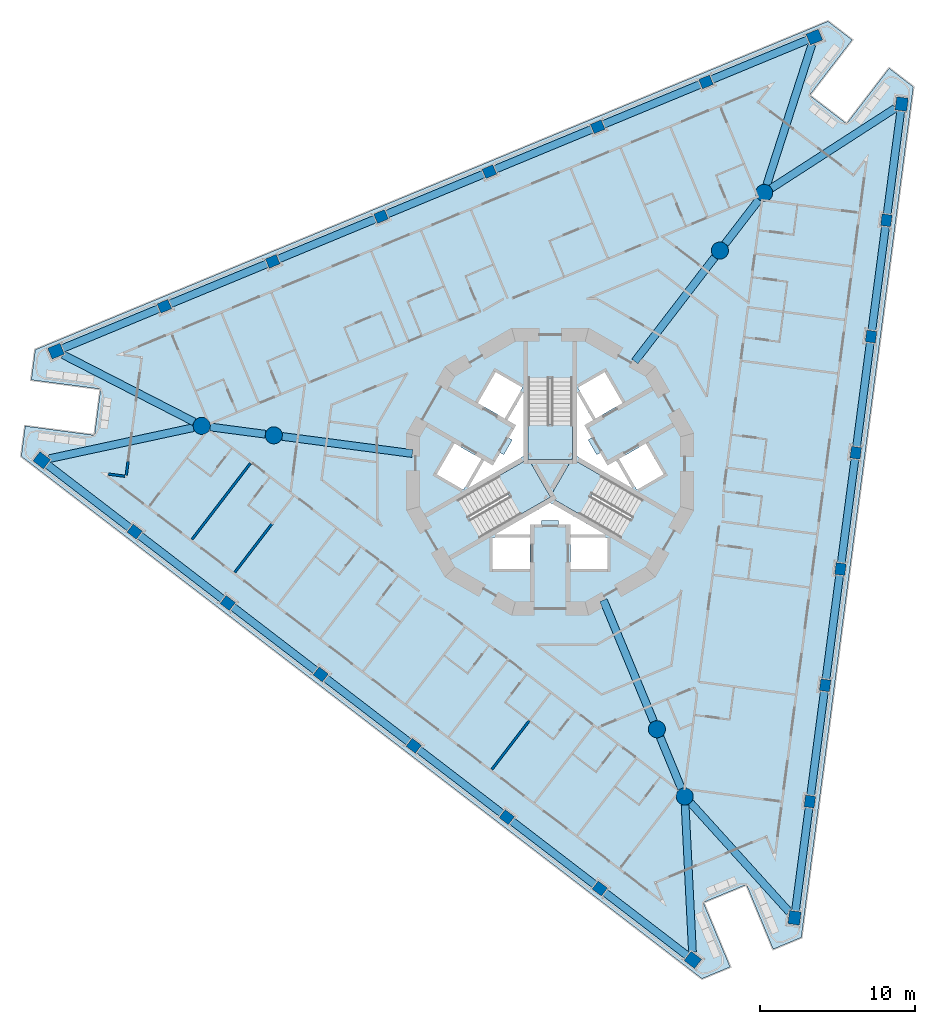
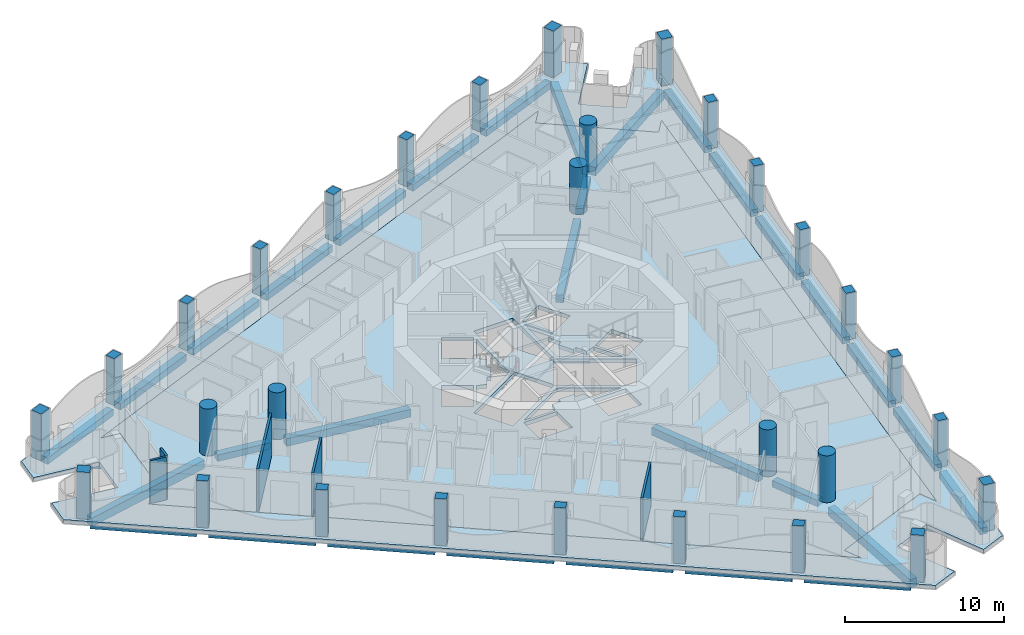
# One storey, part 1 of 17: 33 beams, 30 columns, 6 slabs, 5 walls, 3 elements without a shape of their own.
"""IFC4 building model written with IfcOpenShell, lengths in metres."""

from ifc_helpers import new_model, si_unit, direction, frame, frame_2d, origin, origin_2d, place, context, subcontext, project, spatial, polyline, rectangle, circle, outline, extrude, material, layer, layer_set, material_profile, profile_set, type_object, element, aggregate, save


model = new_model("IFC4")

# Units and contexts
model_context = context("Model", 3, precision=1e-05, world=origin(), true_north=direction((0.0, 1.0)))
body_context = subcontext(model_context, "Body", "Model", "MODEL_VIEW")
ifc_project = project(units=[si_unit("LENGTHUNIT", "METRE"), si_unit("AREAUNIT", "SQUARE_METRE"), si_unit("VOLUMEUNIT", "CUBIC_METRE"), si_unit("PLANEANGLEUNIT", "RADIAN"), si_unit("MASSUNIT", "GRAM", prefix="KILO")], contexts=[model_context])

# Site, building, storey
site_placement = place(None, origin())
site = spatial("IfcSite", under=ifc_project, at=site_placement, CompositionType="ELEMENT")
building_placement = place(site_placement, origin())
building = spatial("IfcBuilding", under=site, at=building_placement, Name="Trine Commons Tower", CompositionType="ELEMENT")
storey_placement = place(building_placement, frame((0.0, 0.0, 149.39990234375)))
storey = spatial("IfcBuildingStorey", under=building, at=storey_placement, Name="L38", CompositionType="ELEMENT", Elevation=149.39990234375)

# Columns
ifc_material_1 = material(Name="Concrete C70/85", Category="concrete")
ifc_material_profile_1 = material_profile(ifc_material_1, rectangle(XDim=0.75, YDim=0.64990234375, at=origin_2d()), Name="RC 750x650")
ifc_profile_set_1 = profile_set([ifc_material_profile_1], Name="Concrete C70/85")
column_type_1 = type_object("IfcColumnType", Name="RC column 750x650, C70/85", PredefinedType="COLUMN", material=ifc_profile_set_1)
for number, where, z_axis, x_axis, name in (
    (1, (83.197021484375, 35.652587890625, 0.0), (0.0, 0.0, 1.0), (-0.793353340291, 0.608761429009, 0.0), "Column PC4-02 L38"),
    (2, (77.20556640625, 40.25, 0.0), (0.0, 0.0, 1.0), (-0.793353340291, 0.608761429009, 0.0), "Column PC4-03 L38"),
    (3, (71.214111328125, 44.847412109375, 0.0), (0.0, 0.0, 1.0), (-0.793353340291, 0.608761429009, 0.0), "Column PC4-04 L38"),
    (4, (65.222900390625, 49.444580078125, 0.0), (0.0, 0.0, 1.0), (-0.793353340291, 0.608761429009, 0.0), "Column PC4-05 L38"),
    (5, (59.2314453125, 54.0419921875, 0.0), (0.0, 0.0, 1.0), (-0.793353340291, 0.608761429009, 0.0), "Column PC4-06 L38"),
    (6, (53.239990234375, 58.639404296875, 0.0), (0.0, 0.0, 1.0), (-0.793353340291, 0.608761429009, 0.0), "Column PC4-07 L38"),
    (7, (55.151123046875, 73.155029296875, 0.0), (0.0, 0.0, 1.0), (0.923879532511, 0.382683432365, 0.0), "Column PC4-10 L38"),
    (8, (62.128173828125, 76.044921875, 0.0), (0.0, 0.0, 1.0), (0.923879532511, 0.382683432365, 0.0), "Column PC4-11 L38"),
    (9, (69.105224609375, 78.93505859375, 0.0), (0.0, 0.0, 1.0), (0.923879532511, 0.382683432365, 0.0), "Column PC4-12 L38"),
    (10, (76.08251953125, 81.8251953125, 0.0), (0.0, 0.0, 1.0), (0.923879532511, 0.382683432365, 0.0), "Column PC4-13 L38"),
    (11, (83.0595703125, 84.715087890625, 0.0), (0.0, 0.0, 1.0), (0.923879532511, 0.382683432365, 0.0), "Column PC4-14 L38"),
    (12, (90.03662109375, 87.60498046875, 0.0), (0.0, 0.0, 1.0), (0.923879532511, 0.382683432365, 0.0), "Column PC4-15 L38"),
    (13, (101.652099609375, 78.692138671875, 0.0), (0.0, 0.0, 1.0), (0.13052619222, 0.991444861374, 0.0), "Column PC4-18 L38"),
    (14, (100.666259765625, 71.204833984375, 0.0), (0.0, 0.0, 1.0), (0.13052619222, 0.991444861374, 0.0), "Column PC4-19 L38"),
    (15, (99.680419921875, 63.717529296875, 0.0), (0.0, 0.0, 1.0), (0.13052619222, 0.991444861374, 0.0), "Column PC4-20 L38"),
    (16, (98.69482421875, 56.230224609375, 0.0), (0.0, 0.0, 1.0), (0.13052619222, 0.991444861374, 0.0), "Column PC4-21 L38"),
    (17, (97.708984375, 48.742919921875, 0.0), (0.0, 0.0, 1.0), (0.13052619222, 0.991444861374, 0.0), "Column PC4-22 L38"),
    (18, (96.723388671875, 41.255615234375, 0.0), (0.0, 0.0, 1.0), (0.13052619222, 0.991444861374, 0.0), "Column PC4-23 L38"),
):
    element("IfcColumn", number, at=place(storey_placement, frame(where, z_axis=z_axis, x_axis=x_axis)), inside=storey, type_object=column_type_1, Name=name, PredefinedType="COLUMN", context=body_context, shape_type="SweptSolid", body=[
        extrude(rectangle(XDim=0.75, YDim=0.64990234375, at=origin_2d()), origin(), (0.0, 0.0, 1.0), 3.60009765625),
    ])
ifc_material_profile_2 = material_profile(ifc_material_1, rectangle(XDim=0.85009765625, YDim=0.75, at=origin_2d()), Name="RC 850x750")
ifc_profile_set_2 = profile_set([ifc_material_profile_2], Name="Concrete C70/85")
column_type_2 = type_object("IfcColumnType", Name="RC column 850x750, C70/85", PredefinedType="COLUMN", material=ifc_profile_set_2)
for number, where, z_axis, x_axis, name in (
    (19, (89.188232421875, 31.055419921875, 0.0), (0.0, 0.0, 1.0), (-0.793353340291, 0.608761429009, 0.0), "Column PC4-01 L38"),
    (20, (47.248779296875, 63.23681640625, 0.0), (0.0, 0.0, 1.0), (-0.793353340291, 0.608761429009, 0.0), "Column PC4-08 L38"),
    (21, (48.174072265625, 70.264892578125, 0.0), (0.0, 0.0, 1.0), (0.923879532511, 0.382683432365, 0.0), "Column PC4-09 L38"),
    (22, (97.013671875, 90.4951171875, 0.0), (0.0, 0.0, 1.0), (0.923879532511, 0.382683432365, 0.0), "Column PC4-16 L38"),
    (23, (102.6376953125, 86.1796875, 0.0), (0.0, 0.0, 1.0), (0.13052619222, 0.991444861374, 0.0), "Column PC4-17 L38"),
    (24, (95.737548828125, 33.768310546875, 0.0), (0.0, 0.0, 1.0), (0.13052619222, 0.991444861374, 0.0), "Column PC4-24 L38"),
):
    element("IfcColumn", number, at=place(storey_placement, frame(where, z_axis=z_axis, x_axis=x_axis)), inside=storey, type_object=column_type_2, Name=name, PredefinedType="COLUMN", context=body_context, shape_type="SweptSolid", body=[
        extrude(rectangle(XDim=0.85009765625, YDim=0.75, at=origin_2d()), origin(), (0.0, 0.0, 1.0), 3.60009765625),
    ])
ifc_material_profile_3 = material_profile(ifc_material_1, circle(Radius=0.550048828125, at=origin_2d()), Name="RC round 1100")
ifc_profile_set_3 = profile_set([ifc_material_profile_3], Name="Concrete C70/85")
column_type_3 = type_object("IfcColumnType", Name="RC round column 1100 mm, C70/85", PredefinedType="COLUMN", material=ifc_profile_set_3)
for number, where, z_axis, x_axis, name in (
    (25, (86.87109375, 45.912109375, 0.0), (0.0, 0.0, 1.0), (1.0, 0.0, 0.0), "Column WC4-1 L38"),
    (26, (88.66259765625, 41.58642578125, 0.0), (0.0, 0.0, 1.0), (1.0, 0.0, 0.0), "Column WC4-2 L38"),
    (27, (90.93017578125, 76.744384765625, 0.0), (0.0, 0.0, 1.0), (1.0, 0.0, 0.0), "Column WC4-3 L38"),
    (28, (93.7802734375, 80.458984375, 0.0), (0.0, 0.0, 1.0), (1.0, 0.0, 0.0), "Column WC4-4 L38"),
    (29, (62.198974609375, 64.843505859375, 0.0), (0.0, 0.0, 1.0), (1.0, 0.0, 0.0), "Column WC4-5 L38"),
    (30, (57.556884765625, 65.45458984375, 0.0), (0.0, 0.0, 1.0), (1.0, 0.0, 0.0), "Column WC4-6 L38"),
):
    element("IfcColumn", number, at=place(storey_placement, frame(where, z_axis=z_axis, x_axis=x_axis)), inside=storey, type_object=column_type_3, Name=name, PredefinedType="COLUMN", context=body_context, shape_type="SweptSolid", body=[
        extrude(circle(Radius=0.550048828125, at=origin_2d()), origin(), (0.0, 0.0, 1.0), 3.60009765625),
    ])

# Beams
ifc_material_2 = material(Name="Concrete C50/60", Category="concrete")
ifc_material_profile_4 = material_profile(ifc_material_2, rectangle(XDim=0.5, YDim=0.5, at=origin_2d()), Name="RC 500x500")
ifc_profile_set_4 = profile_set([ifc_material_profile_4], Name="Concrete C50/60")
beam_type_1 = type_object("IfcBeamType", Name="RC beam 500x500, C50/60", PredefinedType="BEAM", material=ifc_profile_set_4)
beam_1_placement = place(storey_placement, frame((88.85107421875, 31.314208984375, -0.5498046875), z_axis=(-0.793369431695, 0.608740457709, 0.0), x_axis=(-0.608740457709, -0.793369431695, 0.0)))
element("IfcBeam", 31, at=beam_1_placement, inside=storey, type_object=beam_type_1, Name="Beam EB4-01 L38", PredefinedType="BEAM", context=body_context, shape_type="SweptSolid", body=[
    extrude(rectangle(XDim=0.5, YDim=0.5, at=origin_2d()), origin(), (0.0, 0.0, 1.0), 6.751708984375),
])
beam_2_placement = place(storey_placement, frame((82.8994140625, 35.881103515625, -0.5498046875), z_axis=(-0.793370600973, 0.60873893379, 0.0), x_axis=(-0.60873893379, -0.793370600973, 0.0)))
element("IfcBeam", 32, at=beam_2_placement, inside=storey, type_object=beam_type_1, Name="Beam EB4-02 L38", PredefinedType="BEAM", context=body_context, shape_type="SweptSolid", body=[
    extrude(rectangle(XDim=0.5, YDim=0.5, at=origin_2d()), origin(), (0.0, 0.0, 1.0), 6.802001953125),
])
beam_3_placement = place(storey_placement, frame((76.907958984375, 40.478515625, -0.5498046875), z_axis=(-0.793357299922, 0.608756268682, 0.0), x_axis=(-0.608756268682, -0.793357299922, 0.0)))
element("IfcBeam", 33, at=beam_3_placement, inside=storey, type_object=beam_type_1, Name="Beam EB4-03 L38", PredefinedType="BEAM", context=body_context, shape_type="SweptSolid", body=[
    extrude(rectangle(XDim=0.5, YDim=0.5, at=origin_2d()), origin(), (0.0, 0.0, 1.0), 6.8017578125),
])
beam_4_placement = place(storey_placement, frame((70.916748046875, 45.07568359375, -0.5498046875), z_axis=(-0.793370600973, 0.60873893379, 0.0), x_axis=(-0.60873893379, -0.793370600973, 0.0)))
element("IfcBeam", 34, at=beam_4_placement, inside=storey, type_object=beam_type_1, Name="Beam EB4-04 L38", PredefinedType="BEAM", context=body_context, shape_type="SweptSolid", body=[
    extrude(rectangle(XDim=0.5, YDim=0.5, at=origin_2d()), origin(), (0.0, 0.0, 1.0), 6.802001953125),
])
beam_5_placement = place(storey_placement, frame((64.92529296875, 49.673095703125, -0.5498046875), z_axis=(-0.793357299922, 0.608756268682, 0.0), x_axis=(-0.608756268682, -0.793357299922, 0.0)))
element("IfcBeam", 35, at=beam_5_placement, inside=storey, type_object=beam_type_1, Name="Beam EB4-05 L38", PredefinedType="BEAM", context=body_context, shape_type="SweptSolid", body=[
    extrude(rectangle(XDim=0.5, YDim=0.5, at=origin_2d()), origin(), (0.0, 0.0, 1.0), 6.8017578125),
])
beam_6_placement = place(storey_placement, frame((58.93408203125, 54.2705078125, -0.5498046875), z_axis=(-0.793370600973, 0.60873893379, 0.0), x_axis=(-0.60873893379, -0.793370600973, 0.0)))
element("IfcBeam", 36, at=beam_6_placement, inside=storey, type_object=beam_type_1, Name="Beam EB4-06 L38", PredefinedType="BEAM", context=body_context, shape_type="SweptSolid", body=[
    extrude(rectangle(XDim=0.5, YDim=0.5, at=origin_2d()), origin(), (0.0, 0.0, 1.0), 6.802001953125),
])
for number, where, z_axis, x_axis, name in (
    (37, (52.942626953125, 58.86767578125, -0.5498046875), (-0.793351968439, 0.608763216838, 0.0), (-0.608763216838, -0.793351968439, 0.0), "Beam EB4-07 L38"),
    (38, (48.566650390625, 70.427490234375, -0.5498046875), (0.923874044744, 0.382696680739, 0.0), (-0.382696680739, 0.923874044744, 0.0), "Beam EB4-08 L38"),
):
    element("IfcBeam", number, at=place(storey_placement, frame(where, z_axis=z_axis, x_axis=x_axis)), inside=storey, type_object=beam_type_1, Name=name, PredefinedType="BEAM", context=body_context, shape_type="SweptSolid", body=[
        extrude(rectangle(XDim=0.5, YDim=0.5, at=origin_2d()), origin(), (0.0, 0.0, 1.0), 6.751953125),
    ])
for number, where, z_axis, x_axis, name in (
    (39, (55.49755859375, 73.298583984375, -0.5498046875), (0.923877719045, 0.38268781043, 0.0), (-0.38268781043, 0.923877719045, 0.0), "Beam EB4-09 L38"),
    (40, (62.474609375, 76.1884765625, -0.5498046875), (0.923877719045, 0.38268781043, 0.0), (-0.38268781043, 0.923877719045, 0.0), "Beam EB4-10 L38"),
):
    element("IfcBeam", number, at=place(storey_placement, frame(where, z_axis=z_axis, x_axis=x_axis)), inside=storey, type_object=beam_type_1, Name=name, PredefinedType="BEAM", context=body_context, shape_type="SweptSolid", body=[
        extrude(rectangle(XDim=0.5, YDim=0.5, at=origin_2d()), origin(), (0.0, 0.0, 1.0), 6.802001953125),
    ])
for number, where, z_axis, x_axis, name in (
    (41, (69.451904296875, 79.07861328125, -0.5498046875), (0.923872462302, 0.382700500915, 0.0), (-0.382700500915, 0.923872462302, 0.0), "Beam EB4-11 L38"),
    (42, (76.428955078125, 81.968505859375, -0.5498046875), (0.923872462302, 0.382700500915, 0.0), (-0.382700500915, 0.923872462302, 0.0), "Beam EB4-12 L38"),
):
    element("IfcBeam", number, at=place(storey_placement, frame(where, z_axis=z_axis, x_axis=x_axis)), inside=storey, type_object=beam_type_1, Name=name, PredefinedType="BEAM", context=body_context, shape_type="SweptSolid", body=[
        extrude(rectangle(XDim=0.5, YDim=0.5, at=origin_2d()), origin(), (0.0, 0.0, 1.0), 6.8017578125),
    ])
beam_7_placement = place(storey_placement, frame((83.406005859375, 84.858642578125, -0.5498046875), z_axis=(0.923877719045, 0.38268781043, 0.0), x_axis=(-0.38268781043, 0.923877719045, 0.0)))
element("IfcBeam", 43, at=beam_7_placement, inside=storey, type_object=beam_type_1, Name="Beam EB4-13 L38", PredefinedType="BEAM", context=body_context, shape_type="SweptSolid", body=[
    extrude(rectangle(XDim=0.5, YDim=0.5, at=origin_2d()), origin(), (0.0, 0.0, 1.0), 6.802001953125),
])
beam_8_placement = place(storey_placement, frame((90.383056640625, 87.74853515625, -0.5498046875), z_axis=(0.923874044744, 0.382696680739, 0.0), x_axis=(-0.382696680739, 0.923874044744, 0.0)))
element("IfcBeam", 44, at=beam_8_placement, inside=storey, type_object=beam_type_1, Name="Beam EB4-14 L38", PredefinedType="BEAM", context=body_context, shape_type="SweptSolid", body=[
    extrude(rectangle(XDim=0.5, YDim=0.5, at=origin_2d()), origin(), (0.0, 0.0, 1.0), 6.751953125),
])
beam_9_placement = place(storey_placement, frame((102.582275390625, 85.75830078125, -0.5498046875), z_axis=(-0.130529338233, -0.991444447188, 0.0), x_axis=(0.991444447188, -0.130529338233, 0.0)))
element("IfcBeam", 45, at=beam_9_placement, inside=storey, type_object=beam_type_1, Name="Beam EB4-15 L38", PredefinedType="BEAM", context=body_context, shape_type="SweptSolid", body=[
    extrude(rectangle(XDim=0.5, YDim=0.5, at=origin_2d()), origin(), (0.0, 0.0, 1.0), 6.752197265625),
])
for number, where, z_axis, x_axis, name in (
    (46, (101.60302734375, 78.3203125, -0.5498046875), (-0.13054364647, -0.991442563322, 0.0), (0.991442563322, -0.13054364647, 0.0), "Beam EB4-16 L38"),
    (47, (100.6171875, 70.8330078125, -0.5498046875), (-0.13050836468, -0.991447208251, 0.0), (0.991447208251, -0.13050836468, 0.0), "Beam EB4-17 L38"),
    (48, (99.631591796875, 63.345703125, -0.5498046875), (-0.13054364647, -0.991442563322, 0.0), (0.991442563322, -0.13054364647, 0.0), "Beam EB4-18 L38"),
    (49, (98.64599609375, 55.8583984375, -0.5498046875), (-0.13054364647, -0.991442563322, 0.0), (0.991442563322, -0.13054364647, 0.0), "Beam EB4-19 L38"),
    (50, (97.66015625, 48.37109375, -0.5498046875), (-0.13054364647, -0.991442563322, 0.0), (0.991442563322, -0.13054364647, 0.0), "Beam EB4-20 L38"),
):
    element("IfcBeam", number, at=place(storey_placement, frame(where, z_axis=z_axis, x_axis=x_axis)), inside=storey, type_object=beam_type_1, Name=name, PredefinedType="BEAM", context=body_context, shape_type="SweptSolid", body=[
        extrude(rectangle(XDim=0.5, YDim=0.5, at=origin_2d()), origin(), (0.0, 0.0, 1.0), 6.8017578125),
    ])
beam_10_placement = place(storey_placement, frame((96.67431640625, 40.8837890625, -0.5498046875), z_axis=(-0.130498474521, -0.991448510084, 0.0), x_axis=(0.991448510084, -0.130498474521, 0.0)))
element("IfcBeam", 51, at=beam_10_placement, inside=storey, type_object=beam_type_1, Name="Beam EB4-21 L38", PredefinedType="BEAM", context=body_context, shape_type="SweptSolid", body=[
    extrude(rectangle(XDim=0.5, YDim=0.5, at=origin_2d()), origin(), (0.0, 0.0, 1.0), 6.751708984375),
])
beam_11_placement = place(storey_placement, frame((87.08154296875, 45.40380859375, -0.5498046875), z_axis=(0.382644753509, -0.92389555287, 0.0), x_axis=(0.92389555287, 0.382644753509, 0.0)))
element("IfcBeam", 52, at=beam_11_placement, inside=storey, type_object=beam_type_1, Name="Beam RB4-02 L38", PredefinedType="BEAM", context=body_context, shape_type="SweptSolid", body=[
    extrude(rectangle(XDim=0.5, YDim=0.5, at=origin_2d()), origin(), (0.0, 0.0, 1.0), 3.58203125),
])
beam_12_placement = place(storey_placement, frame((91.2646484375, 77.180419921875, -0.5498046875), z_axis=(0.608761938472, 0.793352949366, 0.0), x_axis=(-0.793352949366, 0.608761938472, 0.0)))
element("IfcBeam", 53, at=beam_12_placement, inside=storey, type_object=beam_type_1, Name="Beam RB4-04 L38", PredefinedType="BEAM", context=body_context, shape_type="SweptSolid", body=[
    extrude(rectangle(XDim=0.5, YDim=0.5, at=origin_2d()), origin(), (0.0, 0.0, 1.0), 3.5830078125),
])
beam_13_placement = place(storey_placement, frame((61.654296875, 64.915283203125, -0.5498046875), z_axis=(-0.991441999821, 0.13054792603, 0.0), x_axis=(-0.13054792603, -0.991441999821, 0.0)))
element("IfcBeam", 54, at=beam_13_placement, inside=storey, type_object=beam_type_1, Name="Beam RB4-06 L38", PredefinedType="BEAM", context=body_context, shape_type="SweptSolid", body=[
    extrude(rectangle(XDim=0.5, YDim=0.5, at=origin_2d()), origin(), (0.0, 0.0, 1.0), 3.583251953125),
])
ifc_material_profile_5 = material_profile(ifc_material_2, rectangle(XDim=0.5, YDim=0.60009765625, at=origin_2d()), Name="RC 500x600")
ifc_profile_set_5 = profile_set([ifc_material_profile_5], Name="Concrete C50/60")
beam_type_2 = type_object("IfcBeamType", Name="RC beam 500x600, C50/60", PredefinedType="BEAM", material=ifc_profile_set_5)
beam_14_placement = place(storey_placement, frame((83.426025390625, 54.228515625, -0.599853515625), z_axis=(0.382688551836, -0.92387741194, 0.0), x_axis=(0.92387741194, 0.382688551836, 0.0)))
element("IfcBeam", 55, at=beam_14_placement, inside=storey, type_object=beam_type_2, Name="Beam RB4-01 L38", PredefinedType="BEAM", context=body_context, shape_type="SweptSolid", body=[
    extrude(rectangle(XDim=0.5, YDim=0.60009765625, at=origin_2d()), origin(), (0.0, 0.0, 1.0), 8.45166015625),
])
for number, where, z_axis, x_axis, name in (
    (56, (85.4501953125, 69.602783203125, -0.599853515625), (0.608758331545, 0.793355717049, 0.0), (-0.793355717049, 0.608758331545, 0.0), "Beam RB4-03 L38"),
    (57, (71.123779296875, 63.668701171875, -0.599853515625), (-0.991444756637, 0.130526987771, 0.0), (-0.130526987771, -0.991444756637, 0.0), "Beam RB4-05 L38"),
):
    element("IfcBeam", number, at=place(storey_placement, frame(where, z_axis=z_axis, x_axis=x_axis)), inside=storey, type_object=beam_type_2, Name=name, PredefinedType="BEAM", context=body_context, shape_type="SweptSolid", body=[
        extrude(rectangle(XDim=0.5, YDim=0.60009765625, at=origin_2d()), origin(), (0.0, 0.0, 1.0), 8.452392578125),
    ])
ifc_material_profile_6 = material_profile(ifc_material_2, rectangle(XDim=0.5, YDim=0.64990234375, at=origin_2d()), Name="RC 500x650")
ifc_profile_set_6 = profile_set([ifc_material_profile_6], Name="Concrete C50/60")
beam_type_3 = type_object("IfcBeamType", Name="RC beam 500x650, C50/60", PredefinedType="BEAM", material=ifc_profile_set_6)
for number, where, z_axis, x_axis, name in (
    (58, (47.729736328125, 63.340087890625, -0.625), (0.977623092321, 0.210364182695, 0.0), (-0.210364182695, 0.977623092321, 0.0), "Beam CB4-01 L38"),
    (59, (48.61181640625, 70.04052734375, -0.625), (0.88987015168, -0.456213889692, 0.0), (0.456213889692, 0.88987015168, 0.0), "Beam CB4-02 L38"),
):
    element("IfcBeam", number, at=place(storey_placement, frame(where, z_axis=z_axis, x_axis=x_axis)), inside=storey, type_object=beam_type_3, Name=name, PredefinedType="BEAM", context=body_context, shape_type="SweptSolid", body=[
        extrude(rectangle(XDim=0.5, YDim=0.64990234375, at=origin_2d()), origin(), (0.0, 0.0, 1.0), 9.502685546875),
    ])
for number, where, z_axis, x_axis, name in (
    (60, (96.86279296875, 90.026611328125, -0.625), (-0.306661957359, -0.951818493153, 0.0), (0.951818493153, -0.306661957359, 0.0), "Beam CB4-03 L38"),
    (61, (102.224365234375, 85.91259765625, -0.625), (-0.840029620135, -0.542540539772, 0.0), (0.542540539772, -0.840029620135, 0.0), "Beam CB4-04 L38"),
):
    element("IfcBeam", number, at=place(storey_placement, frame(where, z_axis=z_axis, x_axis=x_axis)), inside=storey, type_object=beam_type_3, Name=name, PredefinedType="BEAM", context=body_context, shape_type="SweptSolid", body=[
        extrude(rectangle(XDim=0.5, YDim=0.64990234375, at=origin_2d()), origin(), (0.0, 0.0, 1.0), 9.50244140625),
    ])
beam_15_placement = place(storey_placement, frame((95.407470703125, 34.133056640625, -0.625), z_axis=(-0.670979247329, 0.74147612885, 0.0), x_axis=(-0.74147612885, -0.670979247329, 0.0)))
element("IfcBeam", 62, at=beam_15_placement, inside=storey, type_object=beam_type_3, Name="Beam CB4-05 L38", PredefinedType="BEAM", context=body_context, shape_type="SweptSolid", body=[
    extrude(rectangle(XDim=0.5, YDim=0.64990234375, at=origin_2d()), origin(), (0.0, 0.0, 1.0), 9.5029296875),
])
beam_16_placement = place(storey_placement, frame((89.163818359375, 31.546875, -0.625), z_axis=(-0.049841513837, 0.998757139398, 0.0), x_axis=(-0.998757139398, -0.049841513837, 0.0)))
element("IfcBeam", 63, at=beam_16_placement, inside=storey, type_object=beam_type_3, Name="Beam CB4-06 L38", PredefinedType="BEAM", context=body_context, shape_type="SweptSolid", body=[
    extrude(rectangle(XDim=0.5, YDim=0.64990234375, at=origin_2d()), origin(), (0.0, 0.0, 1.0), 9.502685546875),
])

# Slabs
ifc_layer_1 = layer(ifc_material_2, 0.300048828125)
ifc_layer_set_1 = layer_set([ifc_layer_1], Name="Concrete C50/60")
slab_type_1 = type_object("IfcSlabType", Name="Loggia slab 300 mm, C50/60", PredefinedType="FLOOR", material=ifc_layer_set_1)
slab_1_placement = place(storey_placement, frame((0.0, 0.0, -0.2998046875)))
element("IfcSlab", 64, at=slab_1_placement, inside=storey, type_object=slab_type_1, Name="Loggia slab L38", PredefinedType="FLOOR", context=body_context, shape_type="SweptSolid", body=[
    extrude(outline(polyline([(96.17578125, 32.500244140625), (103.38916015625, 87.291015625), (101.8310546875, 88.48681640625), (99.091552734375, 84.91650390625), (96.71142578125, 86.742919921875), (99.450927734375, 90.31298828125), (97.892578125, 91.508544921875), (46.835693359375, 70.360107421875), (46.579345703125, 68.412841796875), (51.041015625, 67.825439453125), (50.6494140625, 64.85107421875), (46.187744140625, 65.4384765625), (45.931396484375, 63.4912109375), (89.77490234375, 29.848876953125), (91.589599609375, 30.6005859375), (89.867431640625, 34.758056640625), (92.63916015625, 35.906005859375), (94.361328125, 31.74853515625), (96.17578125, 32.500244140625)]), holes=[polyline([(87.24658203125, 34.814208984375), (86.731689453125, 36.056884765625), (93.93798828125, 39.041748046875), (94.452880859375, 37.799072265625), (100.353271484375, 82.618408203125), (99.53466796875, 81.551513671875), (93.346435546875, 86.2998046875), (94.165283203125, 87.366943359375), (52.400146484375, 70.067138671875), (53.733642578125, 69.8916015625), (52.715576171875, 62.158447265625), (51.382080078125, 62.333984375), (87.24658203125, 34.814208984375)])]), origin(), (0.0, 0.0, 1.0), 0.2998046875),
])
ifc_layer_2 = layer(ifc_material_2, 0.300048828125)
ifc_layer_set_2 = layer_set([ifc_layer_2], Name="Concrete C50/60")
slab_type_2 = type_object("IfcSlabType", Name="PT flat slab 300 mm, C50/60", PredefinedType="FLOOR", material=ifc_layer_set_2)
slab_2_placement = place(storey_placement, frame((0.0, 0.0, -0.2998046875)))
element("IfcSlab", 65, at=slab_2_placement, inside=storey, type_object=slab_type_2, Name="Floor slab L38", PredefinedType="FLOOR", context=body_context, shape_type="SweptSolid", body=[
    extrude(outline(polyline([(51.382080078125, 62.333984375), (87.24658203125, 34.814208984375), (86.731689453125, 36.056884765625), (93.93798828125, 39.041748046875), (94.452880859375, 37.799072265625), (100.353271484375, 82.618408203125), (99.53466796875, 81.551513671875), (93.346435546875, 86.2998046875), (94.165283203125, 87.366943359375), (52.400146484375, 70.067138671875), (53.733642578125, 69.8916015625), (52.715576171875, 62.158447265625), (51.382080078125, 62.333984375)]), holes=[polyline([(78.699951171875, 56.25), (78.699951171875, 58.25), (76.300048828125, 58.25), (76.300048828125, 56.25), (78.699951171875, 56.25)]), polyline([(80.0, 60.8544921875), (84.4755859375, 58.2705078125), (85.900390625, 60.73876953125), (81.425048828125, 63.32275390625), (81.425048828125, 68.490478515625), (78.574951171875, 68.490478515625), (78.574951171875, 63.32275390625), (74.099609375, 60.73876953125), (75.5244140625, 58.2705078125), (80.0, 60.8544921875)]), polyline([(73.83740234375, 64.325927734375), (72.687255859375, 62.333984375), (74.41943359375, 61.333984375), (75.5693359375, 63.325927734375), (73.83740234375, 64.325927734375)]), polyline([(76.381103515625, 63.031005859375), (75.742919921875, 63.22607421875), (74.7099609375, 61.43798828125), (78.27490234375, 63.49609375), (78.27490234375, 67.612060546875), (77.242919921875, 65.823974609375), (77.73095703125, 65.368896484375), (77.3310546875, 64.676025390625), (77.555908203125, 64.5458984375), (77.006103515625, 63.593994140625), (76.781005859375, 63.722900390625), (76.381103515625, 63.031005859375)]), polyline([(76.4873046875, 68.916015625), (75.33740234375, 66.924072265625), (77.0693359375, 65.924072265625), (78.219482421875, 67.916015625), (76.4873046875, 68.916015625)]), polyline([(83.699951171875, 56.25), (83.699951171875, 58.25), (81.300048828125, 58.25), (81.300048828125, 56.25), (83.699951171875, 56.25)]), polyline([(81.14990234375, 59.10009765625), (81.300048828125, 58.449951171875), (83.56494140625, 58.449951171875), (80.0, 60.508056640625), (76.43505859375, 58.449951171875), (78.699951171875, 58.449951171875), (78.85009765625, 59.10009765625), (79.449951171875, 59.10009765625), (79.449951171875, 59.360107421875), (80.550048828125, 59.360107421875), (80.550048828125, 59.10009765625), (81.14990234375, 59.10009765625)]), polyline([(86.16259765625, 64.325927734375), (84.4306640625, 63.325927734375), (85.58056640625, 61.333984375), (87.312744140625, 62.333984375), (86.16259765625, 64.325927734375)]), polyline([(83.243896484375, 63.738037109375), (82.993896484375, 63.593994140625), (82.444091796875, 64.5458984375), (82.72705078125, 64.7099609375), (82.281005859375, 65.549072265625), (82.757080078125, 65.823974609375), (81.72509765625, 67.612060546875), (81.72509765625, 63.49609375), (85.2900390625, 61.43798828125), (84.257080078125, 63.22607421875), (83.618896484375, 63.031005859375), (83.243896484375, 63.738037109375)]), polyline([(84.66259765625, 66.924072265625), (83.5126953125, 68.916015625), (81.780517578125, 67.916015625), (82.9306640625, 65.924072265625), (84.66259765625, 66.924072265625)])]), origin(), (0.0, 0.0, 1.0), 0.2998046875),
])
slab_3_placement = place(storey_placement, frame((0.0, 0.0, -0.2998046875)))
element("IfcSlab", 66, at=slab_3_placement, inside=storey, type_object=slab_type_2, Name="Floor slab L38 2", PredefinedType="FLOOR", context=body_context, shape_type="SweptSolid", body=[
    extrude(outline(polyline([(78.61328125, 63.300537109375), (80.0, 60.89892578125), (81.38671875, 63.300537109375), (78.61328125, 63.300537109375)])), origin(), (0.0, 0.0, 1.0), 0.2998046875),
])

# Stair, slab
stair_type = type_object("IfcStairType", Name="Exit stair, dog-leg, 24 risers of 150 mm", PredefinedType="HALF_TURN_STAIR", material=ifc_material_2)
stair_1_placement = place(storey_placement, origin())
stair_1 = element("IfcStair", 67, at=stair_1_placement, inside=storey, type_object=stair_type, Name="L38 Exit stair ST1B", PredefinedType="HALF_TURN_STAIR")
ifc_layer_3 = layer(ifc_material_2, 0.199951171875)
ifc_layer_set_3 = layer_set([ifc_layer_3], Name="Concrete C50/60")
slab_type_3 = type_object("IfcSlabType", Name="Stair landing slab 200 mm, C50/60", PredefinedType="LANDING", material=ifc_layer_set_3)
slab_4_placement = place(storey_placement, frame((0.0, 0.0, 1.60009765625)))
slab_4 = element("IfcSlab", 68, at=slab_4_placement, type_object=slab_type_3, Name="ST1B landing 1", PredefinedType="LANDING", context=body_context, shape_type="SweptSolid", body=[
    extrude(outline(polyline([(78.574951171875, 65.570556640625), (78.574951171875, 63.300537109375), (81.425048828125, 63.300537109375), (81.425048828125, 65.570556640625), (78.574951171875, 65.570556640625)])), origin(), (0.0, 0.0, 1.0), 0.199951171875),
])
aggregate(stair_1, [slab_4])

stair_2_placement = place(storey_placement, origin())
stair_2 = element("IfcStair", 69, at=stair_2_placement, inside=storey, type_object=stair_type, Name="L38 Exit stair ST2B", PredefinedType="HALF_TURN_STAIR")
slab_5_placement = place(storey_placement, frame((0.0, 0.0, 1.60009765625)))
slab_5 = element("IfcSlab", 70, at=slab_5_placement, type_object=slab_type_3, Name="ST2B landing 1", PredefinedType="LANDING", context=body_context, shape_type="SweptSolid", body=[
    extrude(outline(polyline([(78.05322265625, 59.730712890625), (80.019287109375, 60.86572265625), (78.59423828125, 63.333740234375), (76.628173828125, 62.19873046875), (78.05322265625, 59.730712890625)])), origin(), (0.0, 0.0, 1.0), 0.199951171875),
])
aggregate(stair_2, [slab_5])

stair_3_placement = place(storey_placement, origin())
stair_3 = element("IfcStair", 71, at=stair_3_placement, inside=storey, type_object=stair_type, Name="L38 Exit stair ST3B", PredefinedType="HALF_TURN_STAIR")
slab_6_placement = place(storey_placement, frame((0.0, 0.0, 1.60009765625)))
slab_6 = element("IfcSlab", 72, at=slab_6_placement, type_object=slab_type_3, Name="ST3B landing 1", PredefinedType="LANDING", context=body_context, shape_type="SweptSolid", body=[
    extrude(outline(polyline([(83.371826171875, 62.19873046875), (81.40576171875, 63.333740234375), (79.980712890625, 60.86572265625), (81.94677734375, 59.730712890625), (83.371826171875, 62.19873046875)])), origin(), (0.0, 0.0, 1.0), 0.199951171875),
])
aggregate(stair_3, [slab_6])

# Walls
ifc_material_3 = material(Name="Aluminium-framed insulated wall panel", Category="aluminium")
ifc_layer_4 = layer(ifc_material_3, 0.14990234375)
ifc_layer_set_4 = layer_set([ifc_layer_4], Name="Aluminium-framed insulated wall panel")
wall_type_1 = type_object("IfcWallType", Name="Glazed frame wall 150, EI 60", PredefinedType="SOLIDWALL", material=ifc_layer_set_4)
wall_1_placement = place(storey_placement, frame((51.38671875, 62.36865234375, 0.0), z_axis=(0.0, 0.0, 1.0), x_axis=(0.991446880033, -0.130510858064, 0.0)))
element("IfcWall", 73, at=wall_1_placement, inside=storey, type_object=wall_type_1, Name="Glazed frame wall R1", PredefinedType="SOLIDWALL", context=body_context, shape_type="SweptSolid", body=[
    extrude(outline(polyline([(0.1494140625, 0.074951171875), (0.1494140625, -0.074951171875), (1.235107421875, -0.074951171875), (1.235107421875, 0.074951171875), (0.1494140625, 0.074951171875)])), origin(), (0.0, 0.0, 1.0), 3.300048828125),
])
wall_2_placement = place(storey_placement, frame((52.680908203125, 62.1630859375, 0.0), z_axis=(0.0, 0.0, 1.0), x_axis=(0.130403976344, 0.991460943736, 0.0)))
element("IfcWall", 74, at=wall_2_placement, inside=storey, type_object=wall_type_1, Name="Glazed frame wall P1.1", PredefinedType="SOLIDWALL", context=body_context, shape_type="SweptSolid", body=[
    extrude(outline(polyline([(0.110107421875, -0.074951171875), (1.0, -0.074951171875), (1.0, 0.074951171875), (0.110107421875, 0.074951171875), (0.110107421875, -0.074951171875)])), origin(), (0.0, 0.0, 1.0), 3.300048828125),
])
ifc_material_4 = material(Name="Gypsum plasterboard on steel stud", Category="steel")
ifc_layer_5 = layer(ifc_material_4, 0.14990234375)
ifc_layer_set_5 = layer_set([ifc_layer_5], Name="Gypsum plasterboard on steel stud")
wall_type_2 = type_object("IfcWallType", Name="Unit and corridor wall 150 mm, EI 60", PredefinedType="PARTITIONING", material=ifc_layer_set_5)
wall_3_placement = place(storey_placement, frame((56.92431640625, 58.131591796875, 0.0), z_axis=(0.0, 0.0, 1.0), x_axis=(0.608635904236, 0.793449643062, 0.0)))
element("IfcWall", 75, at=wall_3_placement, inside=storey, type_object=wall_type_2, Name="Partition 004", PredefinedType="PARTITIONING", context=body_context, shape_type="SweptSolid", body=[
    extrude(rectangle(XDim=6.194091796875, YDim=0.14990234375, at=frame_2d((3.09716796875, 0.0))), origin(), (0.0, 0.0, 1.0), 3.300048828125),
])
wall_4_placement = place(storey_placement, frame((59.682373046875, 56.0146484375, 0.0), z_axis=(0.0, 0.0, 1.0), x_axis=(0.608733348698, 0.793374886282, 0.0)))
element("IfcWall", 76, at=wall_4_placement, inside=storey, type_object=wall_type_2, Name="Partition 011", PredefinedType="PARTITIONING", context=body_context, shape_type="SweptSolid", body=[
    extrude(rectangle(XDim=3.973388671875, YDim=0.14990234375, at=frame_2d((1.98681640625, 0.0))), origin(), (0.0, 0.0, 1.0), 3.300048828125),
])
wall_5_placement = place(storey_placement, frame((76.2353515625, 43.313720703125, 0.0), z_axis=(0.0, 0.0, 1.0), x_axis=(0.608928617035, 0.793225024413, 0.0)))
element("IfcWall", 77, at=wall_5_placement, inside=storey, type_object=wall_type_2, Name="Partition 063", PredefinedType="PARTITIONING", context=body_context, shape_type="SweptSolid", body=[
    extrude(rectangle(XDim=3.96875, YDim=0.14990234375, at=frame_2d((1.984375, 0.0))), origin(), (0.0, 0.0, 1.0), 3.300048828125),
])

save(model, "model.ifc")
